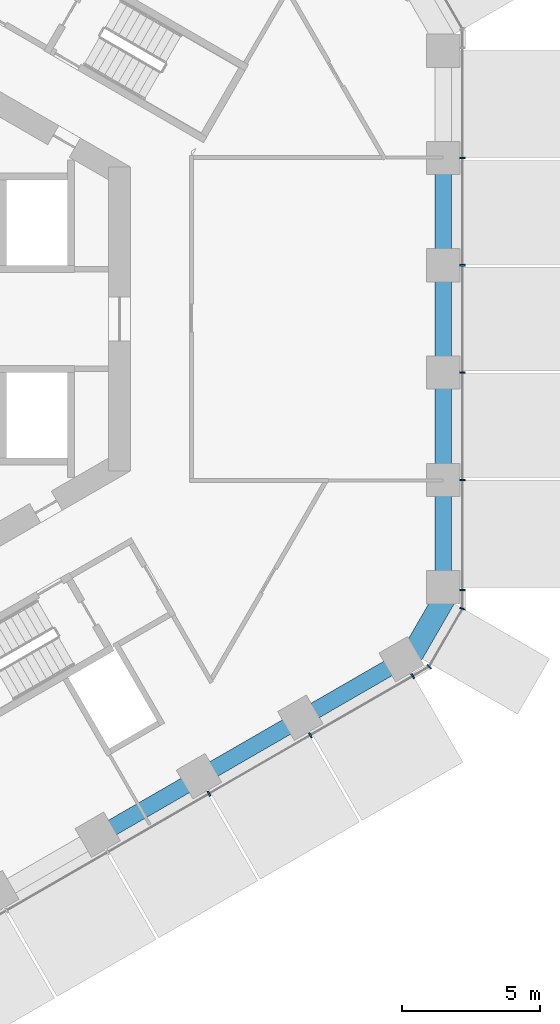
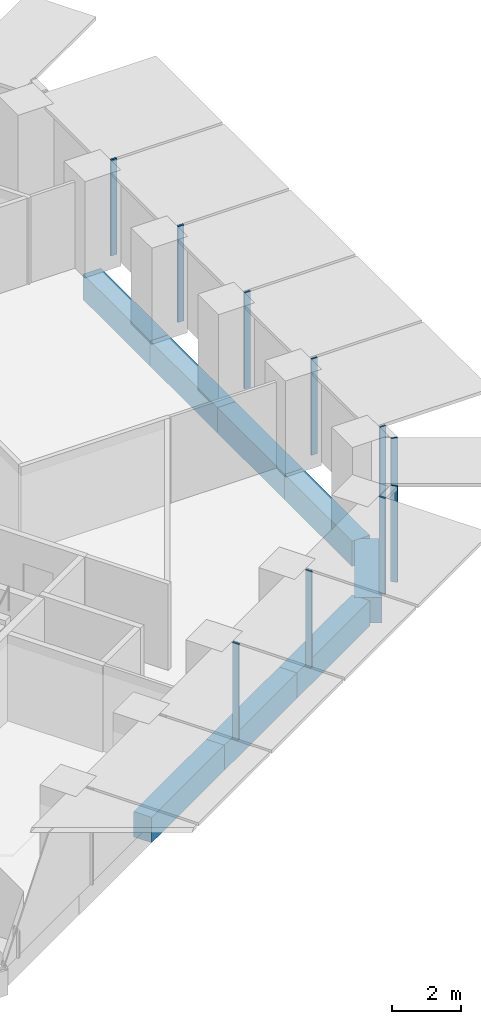
# One storey, part 4 of 19: 10 members, 8 beams, 3 elements without a shape of their own.
"""IFC4 building model written with IfcOpenShell, lengths in metres."""

import ifcopenshell
import ifcopenshell.guid

model = None  # the IFC model being written
_history = None  # IfcOwnerHistory: only IFC2X3 demands one
_inside = {}  # id of a spatial element -> (the spatial element, [elements in it])
_under = {}  # id of a project, library or spatial element -> (it, [spatial elements below it])
_declared = {}  # id of a project -> (the project, [libraries it declares])
_typed = {}  # id of a type object -> (the type object, [elements of that type])
_made_of = {}  # id of a material, layer set ... -> (it, [elements and type objects made of it])


def new_model(schema):
    """Start an empty IFC model of exactly this schema.

    Asked for "IFC4X3", IfcOpenShell would pick the latest addendum, in which some entities
    have other attributes; the version numbers below select the first issue.
    IFC2X3 requires an IfcOwnerHistory on every rooted entity: one is made here for all.
    """
    global model, _history
    if schema == "IFC4X3":
        model = ifcopenshell.file(schema_version=(4, 3, 0, 0))
    else:
        model = ifcopenshell.file(schema=schema)
    _inside.clear()
    _under.clear()
    _declared.clear()
    _typed.clear()
    _made_of.clear()
    _history = None
    if model.schema == "IFC2X3":
        org = make("IfcOrganization", Name="unknown")
        user = make(
            "IfcPersonAndOrganization",
            ThePerson=make("IfcPerson", FamilyName="unknown"),
            TheOrganization=org,
        )
        app = make(
            "IfcApplication",
            ApplicationDeveloper=org,
            Version="unknown",
            ApplicationFullName="unknown",
            ApplicationIdentifier="unknown",
        )
        _history = make(
            "IfcOwnerHistory",
            OwningUser=user,
            OwningApplication=app,
            ChangeAction="ADDED",
            CreationDate=0,
        )
    return model


def make(cls, **values):
    """One entity of the class cls with the attributes given. An attribute that is None is left unset."""
    return model.create_entity(
        cls, **{name: value for name, value in values.items() if value is not None}
    )


def rooted(cls, **values):
    """An entity with a GlobalId (a new one), such as an element, a storey or a relation."""
    return make(cls, GlobalId=ifcopenshell.guid.new(), OwnerHistory=_history, **values)


def si_unit(unit_type, name, prefix=None):
    """IfcSIUnit, for example si_unit("LENGTHUNIT", "METRE", prefix="MILLI")."""
    return make("IfcSIUnit", UnitType=unit_type, Prefix=prefix, Name=name)


def assignment(units):
    """IfcUnitAssignment: the units of a project."""
    return None if units is None else make("IfcUnitAssignment", Units=units)


def point(xyz):
    """IfcCartesianPoint."""
    return None if xyz is None else make("IfcCartesianPoint", Coordinates=xyz)


def direction(xyz):
    """IfcDirection."""
    return None if xyz is None else make("IfcDirection", DirectionRatios=xyz)


def frame(location, z_axis=None, x_axis=None):
    """IfcAxis2Placement3D, a coordinate frame: its origin and axes. An axis left out is left unset."""
    return make(
        "IfcAxis2Placement3D",
        Location=point(location),
        Axis=direction(z_axis),
        RefDirection=direction(x_axis),
    )


def frame_2d(location, x_axis=None):
    """IfcAxis2Placement2D, a coordinate frame in the plane: its origin and x axis."""
    return make(
        "IfcAxis2Placement2D", Location=point(location), RefDirection=direction(x_axis)
    )


def origin():
    """The frame at (0, 0, 0) with its axes left unset."""
    return frame((0.0, 0.0, 0.0))


def origin_2d():
    """The frame at (0, 0) in the plane with its x axis left unset."""
    return frame_2d((0.0, 0.0))


def place(relative_to, where):
    """IfcLocalPlacement: puts the frame where relative to a parent placement (None: the world)."""
    return make(
        "IfcLocalPlacement", PlacementRelTo=relative_to, RelativePlacement=where
    )


def context(
    kind, dimensions, precision=None, world=None, true_north=None, identifier=None
):
    """IfcGeometricRepresentationContext, for example the 3D "Model" context."""
    return make(
        "IfcGeometricRepresentationContext",
        ContextIdentifier=identifier,
        ContextType=kind,
        CoordinateSpaceDimension=dimensions,
        Precision=precision,
        WorldCoordinateSystem=world,
        TrueNorth=true_north,
    )


def subcontext(parent, identifier, kind, view, scale=None):
    """IfcGeometricRepresentationSubContext, for example "Body" below "Model"."""
    return make(
        "IfcGeometricRepresentationSubContext",
        ContextIdentifier=identifier,
        ContextType=kind,
        ParentContext=parent,
        TargetScale=scale,
        TargetView=view,
    )


def project(units=None, contexts=None):
    """IfcProject with its units and contexts."""
    return rooted(
        "IfcProject",
        Name="project",
        RepresentationContexts=contexts,
        UnitsInContext=assignment(units),
    )


def spatial(cls, under=None, at=None, **own):
    """A site, building, storey or space (cls), placed at a placement, below another one or the project."""
    s = rooted(cls, ObjectPlacement=at, **own)
    if under is not None:
        _under.setdefault(under.id(), (under, []))[1].append(s)
    return s


def profile(cls, at=None, kind="AREA", **sizes):
    """A parametric profile (cls). Its sizes go by their IFC names, for example OverallWidth=200.0."""
    return make(cls, ProfileType=kind, Position=at, **sizes)


def rectangle(**sizes):
    """IfcRectangleProfileDef."""
    return profile("IfcRectangleProfileDef", **sizes)


def extrude(swept, where, along, depth):
    """IfcExtrudedAreaSolid: the profile swept, set in the frame where, extruded along a direction by depth."""
    return make(
        "IfcExtrudedAreaSolid",
        SweptArea=swept,
        Position=where,
        ExtrudedDirection=direction(along),
        Depth=depth,
    )


def shape(context_of_items, identifier, shape_type, items):
    """IfcShapeRepresentation: the items that make up one representation, for example the "Body"."""
    return make(
        "IfcShapeRepresentation",
        ContextOfItems=context_of_items,
        RepresentationIdentifier=identifier,
        RepresentationType=shape_type,
        Items=items,
    )


def material(Name=None, Category=None):
    """IfcMaterial."""
    return make("IfcMaterial", Name=Name, Category=Category)


def layer(
    of_material, thickness, ventilated=None, Name=None, Category=None, Priority=None
):
    """IfcMaterialLayer: one layer of a wall or slab, of a material (None: an air gap)."""
    return make(
        "IfcMaterialLayer",
        Material=of_material,
        LayerThickness=thickness,
        IsVentilated=ventilated,
        Name=Name,
        Category=Category,
        Priority=Priority,
    )


def layer_set(layers, Name=None):
    """IfcMaterialLayerSet."""
    return make("IfcMaterialLayerSet", MaterialLayers=layers, LayerSetName=Name)


def material_profile(
    of_material, cross_section, Name=None, Category=None, Priority=None
):
    """IfcMaterialProfile: a cross section and its material."""
    return make(
        "IfcMaterialProfile",
        Name=Name,
        Material=of_material,
        Profile=cross_section,
        Priority=Priority,
        Category=Category,
    )


def profile_set(profiles, Name=None, composite=None):
    """IfcMaterialProfileSet."""
    return make(
        "IfcMaterialProfileSet",
        Name=Name,
        MaterialProfiles=profiles,
        CompositeProfile=composite,
    )


def made_of(thing, what):
    """Note that an element or type object is made of a material, layer set ...; save() writes the relation."""
    if what is not None:
        _made_of.setdefault(what.id(), (what, []))[1].append(thing)
    return thing


def type_object(cls, material=None, **own):
    """A type object (cls), such as IfcWallType, which elements share."""
    return made_of(rooted(cls, **own), material)


def element(
    cls,
    number,
    at=None,
    inside=None,
    cuts=None,
    type_object=None,
    material=None,
    context=None,
    identifier="Body",
    shape_type=None,
    held_by="IfcProductDefinitionShape",
    body=None,
    shapes=None,
    **own,
):
    """One element of the class cls, such as IfcWall. Its Tag is "e" and its number.

    at: its placement. inside: the storey or other place that contains it. cuts: it is an
    opening in that element (IfcRelVoidsElement). A single representation is given by context,
    identifier, shape_type and body (its items); several are given by shapes. held_by: the class
    of the entity that holds the representations. save() writes the other relations.
    """
    e = rooted(cls, Tag="e%d" % number, ObjectPlacement=at, **own)
    if body is not None:
        shapes = [shape(context, identifier, shape_type, body)]
    if shapes is not None:
        e.Representation = make(held_by, Representations=shapes)
    if inside is not None:
        _inside.setdefault(inside.id(), (inside, []))[1].append(e)
    if cuts is not None:
        rooted(
            "IfcRelVoidsElement", RelatingBuildingElement=cuts, RelatedOpeningElement=e
        )
    if type_object is not None:
        _typed.setdefault(type_object.id(), (type_object, []))[1].append(e)
    return made_of(e, material)


def aggregate(whole, parts):
    """IfcRelAggregates: a whole, such as a stair, and the parts it consists of."""
    return rooted("IfcRelAggregates", RelatingObject=whole, RelatedObjects=parts)


def save(model, path):
    """Write the relations noted so far, then the file.

    IfcRelAggregates (storeys below a building ...), IfcRelContainedInSpatialStructure (elements
    in a storey), IfcRelDefinesByType, IfcRelAssociatesMaterial and IfcRelDeclares: one each for
    every whole, place, type object, material and project.
    """
    for whole, parts in _under.values():
        aggregate(whole, parts)
    for where, things in _inside.values():
        rooted(
            "IfcRelContainedInSpatialStructure",
            RelatedElements=things,
            RelatingStructure=where,
        )
    for kind, things in _typed.values():
        rooted("IfcRelDefinesByType", RelatedObjects=things, RelatingType=kind)
    for what, things in _made_of.values():
        rooted("IfcRelAssociatesMaterial", RelatedObjects=things, RelatingMaterial=what)
    for by, libraries in _declared.values():
        rooted("IfcRelDeclares", RelatingContext=by, RelatedDefinitions=libraries)
    model.write(path)


model = new_model("IFC4")

# Units and contexts
model_context = context("Model", 3, precision=1e-05, world=origin(), true_north=direction((0.0, 1.0)))
body_context = subcontext(model_context, "Body", "Model", "MODEL_VIEW")
ifc_project = project(units=[si_unit("LENGTHUNIT", "METRE"), si_unit("AREAUNIT", "SQUARE_METRE"), si_unit("VOLUMEUNIT", "CUBIC_METRE"), si_unit("PLANEANGLEUNIT", "RADIAN"), si_unit("MASSUNIT", "GRAM", prefix="KILO")], contexts=[model_context])

# Site, building, storey
site_placement = place(None, origin())
site = spatial("IfcSite", under=ifc_project, at=site_placement, CompositionType="ELEMENT")
building_placement = place(site_placement, origin())
building = spatial("IfcBuilding", under=site, at=building_placement, Name="Ayvan Gate Tower", CompositionType="ELEMENT")
storey_placement = place(building_placement, frame((0.0, 0.0, 52.699951171875)))
storey = spatial("IfcBuildingStorey", under=building, at=storey_placement, Name="L13", CompositionType="ELEMENT", Elevation=52.699951171875)

# Beams
ifc_material_1 = material(Name="Concrete C40/50", Category="concrete")
ifc_material_profile_1 = material_profile(ifc_material_1, rectangle(XDim=0.800048828125, YDim=0.89990234375, at=origin_2d()), Name="RC 800x900")
ifc_profile_set_1 = profile_set([ifc_material_profile_1], Name="Concrete C40/50")
beam_type_1 = type_object("IfcBeamType", Name="Corner spandrel beam RC 800x900 C40/50", PredefinedType="BEAM", material=ifc_profile_set_1)
beam_1_placement = place(storey_placement, frame((19.47509765625, -12.44384765625, -0.800048828125), z_axis=(0.50002537861, 0.866010750942, 0.0), x_axis=(-0.866010750942, 0.50002537861, 0.0)))
element("IfcBeam", 1, at=beam_1_placement, inside=storey, type_object=beam_type_1, Name="SB-L13-36", PredefinedType="BEAM", context=body_context, shape_type="SweptSolid", body=[
    extrude(rectangle(XDim=0.800048828125, YDim=0.89990234375, at=origin_2d()), origin(), (0.0, 0.0, 1.0), 2.999755859375),
])
ifc_material_profile_2 = material_profile(ifc_material_1, rectangle(XDim=0.60009765625, YDim=0.89990234375, at=origin_2d()), Name="RC 600x900")
ifc_profile_set_2 = profile_set([ifc_material_profile_2], Name="Concrete C40/50")
beam_type_2 = type_object("IfcBeamType", Name="Spandrel beam RC 600x900 C40/50", PredefinedType="BEAM", material=ifc_profile_set_2)
for number, where, z_axis, x_axis, name in (
    (2, (20.78466796875, -9.73583984375, -0.800048828125), (0.0, 1.0, 0.0), (-1.0, 0.0, 0.0), "SB-L13-1"),
    (3, (20.78466796875, -5.841552734375, -0.800048828125), (0.0, 1.0, 0.0), (-1.0, 0.0, 0.0), "SB-L13-2"),
):
    element("IfcBeam", number, at=place(storey_placement, frame(where, z_axis=z_axis, x_axis=x_axis)), inside=storey, type_object=beam_type_2, Name=name, PredefinedType="BEAM", context=body_context, shape_type="SweptSolid", body=[
        extrude(rectangle(XDim=0.60009765625, YDim=0.89990234375, at=origin_2d()), origin(), (0.0, 0.0, 1.0), 3.894287109375),
    ])
beam_2_placement = place(storey_placement, frame((20.78466796875, -1.947265625, -0.800048828125), z_axis=(0.0, 1.0, 0.0), x_axis=(-1.0, 0.0, 0.0)))
element("IfcBeam", 4, at=beam_2_placement, inside=storey, type_object=beam_type_2, Name="SB-L13-3", PredefinedType="BEAM", context=body_context, shape_type="SweptSolid", body=[
    extrude(rectangle(XDim=0.60009765625, YDim=0.89990234375, at=origin_2d()), origin(), (0.0, 0.0, 1.0), 3.89453125),
])
beam_3_placement = place(storey_placement, frame((20.78466796875, 1.947265625, -0.800048828125), z_axis=(0.0, 1.0, 0.0), x_axis=(-1.0, 0.0, 0.0)))
element("IfcBeam", 5, at=beam_3_placement, inside=storey, type_object=beam_type_2, Name="SB-L13-4", PredefinedType="BEAM", context=body_context, shape_type="SweptSolid", body=[
    extrude(rectangle(XDim=0.60009765625, YDim=0.89990234375, at=origin_2d()), origin(), (0.0, 0.0, 1.0), 3.894287109375),
])
beam_4_placement = place(storey_placement, frame((8.33740234375, -18.654296875, -0.800048828125), z_axis=(0.866027338831, 0.499996648386, 0.0), x_axis=(-0.499996648386, 0.866027338831, 0.0)))
element("IfcBeam", 6, at=beam_4_placement, inside=storey, type_object=beam_type_2, Name="SB-L13-33", PredefinedType="BEAM", context=body_context, shape_type="SweptSolid", body=[
    extrude(rectangle(XDim=0.60009765625, YDim=0.89990234375, at=origin_2d()), origin(), (0.0, 0.0, 1.0), 4.21337890625),
])
for number, where, z_axis, x_axis, name in (
    (7, (11.986328125, -16.547607421875, -0.800048828125), (0.866016734951, 0.50001501456, 0.0), (-0.50001501456, 0.866016734951, 0.0), "SB-L13-34"),
    (8, (15.635498046875, -14.440673828125, -0.800048828125), (0.866041823485, 0.499971559166, 0.0), (-0.499971559166, 0.866041823485, 0.0), "SB-L13-35"),
):
    element("IfcBeam", number, at=place(storey_placement, frame(where, z_axis=z_axis, x_axis=x_axis)), inside=storey, type_object=beam_type_2, Name=name, PredefinedType="BEAM", context=body_context, shape_type="SweptSolid", body=[
        extrude(rectangle(XDim=0.60009765625, YDim=0.89990234375, at=origin_2d()), origin(), (0.0, 0.0, 1.0), 4.213623046875),
    ])

# Curtain wall, members
ifc_material_2 = material(Name="Bronze anodised aluminium", Category="aluminium")
ifc_layer_1 = layer(ifc_material_2, 0.199951171875)
ifc_layer_set_1 = layer_set([ifc_layer_1], Name="Bronze anodised aluminium")
curtain_wall_type_1 = type_object("IfcCurtainWallType", Name="Stick curtain wall CW-1", PredefinedType="NOTDEFINED", material=ifc_layer_set_1)
curtain_wall_1_placement = place(storey_placement, origin())
curtain_wall_1 = element("IfcCurtainWall", 9, at=curtain_wall_1_placement, inside=storey, type_object=curtain_wall_type_1, Name="Stick curtain wall CW-1 L13", PredefinedType="NOTDEFINED")
ifc_material_profile_3 = material_profile(ifc_material_2, rectangle(XDim=0.199951171875, YDim=0.06005859375, at=origin_2d()), Name="Stick curtain wall CW-1 mullion 200 x 60")
ifc_profile_set_3 = profile_set([ifc_material_profile_3], Name="Bronze anodised aluminium")
member_type_1 = type_object("IfcMemberType", Name="Stick curtain wall CW-1 mullion 200 x 60", PredefinedType="MULLION", material=ifc_profile_set_3)
member_1_placement = place(storey_placement, frame((12.333740234375, -17.13916015625, 0.0), z_axis=(0.0, 0.0, 1.0), x_axis=(0.5, -0.866025403784, 0.0)))
member_1 = element("IfcMember", 10, at=member_1_placement, type_object=member_type_1, Name="CW-1 mullion 4", PredefinedType="MULLION", context=body_context, shape_type="SweptSolid", body=[
    extrude(rectangle(XDim=0.199951171875, YDim=0.06005859375, at=origin_2d()), origin(), (0.0, 0.0, 1.0), 3.400146484375),
])
member_2_placement = place(storey_placement, frame((15.991943359375, -15.027099609375, 0.0), z_axis=(0.0, 0.0, 1.0), x_axis=(0.5, -0.866025403784, 0.0)))
member_2 = element("IfcMember", 11, at=member_2_placement, type_object=member_type_1, Name="CW-1 mullion 5", PredefinedType="MULLION", context=body_context, shape_type="SweptSolid", body=[
    extrude(rectangle(XDim=0.199951171875, YDim=0.06005859375, at=origin_2d()), origin(), (0.0, 0.0, 1.0), 3.400146484375),
])
member_3_placement = place(storey_placement, frame((19.6884765625, -12.892822265625, 0.0), z_axis=(0.0, 0.0, 1.0), x_axis=(0.5, -0.866025403784, 0.0)))
member_3 = element("IfcMember", 12, at=member_3_placement, type_object=member_type_1, Name="CW-1 mullion 6", PredefinedType="MULLION", context=body_context, shape_type="SweptSolid", body=[
    extrude(rectangle(XDim=0.199951171875, YDim=0.06005859375, at=origin_2d()), origin(), (0.0, 0.0, 1.0), 3.400146484375),
])
aggregate(curtain_wall_1, [member_1, member_2, member_3])

curtain_wall_2_placement = place(storey_placement, origin())
curtain_wall_2 = element("IfcCurtainWall", 13, at=curtain_wall_2_placement, inside=storey, type_object=curtain_wall_type_1, Name="Stick curtain wall CW-1 L13", PredefinedType="NOTDEFINED")
member_4_placement = place(storey_placement, frame((21.484619140625, -9.781982421875, 0.0), z_axis=(0.0, 0.0, 1.0), x_axis=(1.0, 0.0, 0.0)))
member_4 = element("IfcMember", 14, at=member_4_placement, type_object=member_type_1, Name="CW-1 mullion 1", PredefinedType="MULLION", context=body_context, shape_type="SweptSolid", body=[
    extrude(rectangle(XDim=0.199951171875, YDim=0.06005859375, at=origin_2d()), origin(), (0.0, 0.0, 1.0), 3.400146484375),
])
member_5_placement = place(storey_placement, frame((21.484619140625, -5.810791015625, 0.0), z_axis=(0.0, 0.0, 1.0), x_axis=(1.0, 0.0, 0.0)))
member_5 = element("IfcMember", 15, at=member_5_placement, type_object=member_type_1, Name="CW-1 mullion 2", PredefinedType="MULLION", context=body_context, shape_type="SweptSolid", body=[
    extrude(rectangle(XDim=0.199951171875, YDim=0.06005859375, at=origin_2d()), origin(), (0.0, 0.0, 1.0), 3.400146484375),
])
member_6_placement = place(storey_placement, frame((21.484619140625, -1.936767578125, 0.0), z_axis=(0.0, 0.0, 1.0), x_axis=(1.0, 0.0, 0.0)))
member_6 = element("IfcMember", 16, at=member_6_placement, type_object=member_type_1, Name="CW-1 mullion 3", PredefinedType="MULLION", context=body_context, shape_type="SweptSolid", body=[
    extrude(rectangle(XDim=0.199951171875, YDim=0.06005859375, at=origin_2d()), origin(), (0.0, 0.0, 1.0), 3.400146484375),
])
member_7_placement = place(storey_placement, frame((21.484619140625, 1.93701171875, 0.0), z_axis=(0.0, 0.0, 1.0), x_axis=(1.0, 0.0, 0.0)))
member_7 = element("IfcMember", 17, at=member_7_placement, type_object=member_type_1, Name="CW-1 mullion 4", PredefinedType="MULLION", context=body_context, shape_type="SweptSolid", body=[
    extrude(rectangle(XDim=0.199951171875, YDim=0.06005859375, at=origin_2d()), origin(), (0.0, 0.0, 1.0), 3.400146484375),
])
member_8_placement = place(storey_placement, frame((21.484619140625, 5.81103515625, 0.0), z_axis=(0.0, 0.0, 1.0), x_axis=(1.0, 0.0, 0.0)))
member_8 = element("IfcMember", 18, at=member_8_placement, type_object=member_type_1, Name="CW-1 mullion 5", PredefinedType="MULLION", context=body_context, shape_type="SweptSolid", body=[
    extrude(rectangle(XDim=0.199951171875, YDim=0.06005859375, at=origin_2d()), origin(), (0.0, 0.0, 1.0), 3.400146484375),
])
aggregate(curtain_wall_2, [member_4, member_5, member_6, member_7, member_8])

ifc_layer_2 = layer(ifc_material_2, 0.199951171875)
ifc_layer_set_2 = layer_set([ifc_layer_2], Name="Bronze anodised aluminium")
curtain_wall_type_2 = type_object("IfcCurtainWallType", Name="Stick curtain wall CW-6", PredefinedType="NOTDEFINED", material=ifc_layer_set_2)
curtain_wall_3_placement = place(storey_placement, origin())
curtain_wall_3 = element("IfcCurtainWall", 19, at=curtain_wall_3_placement, inside=storey, type_object=curtain_wall_type_2, Name="Stick curtain wall CW-6 L13", PredefinedType="NOTDEFINED")
ifc_material_profile_4 = material_profile(ifc_material_2, rectangle(XDim=0.199951171875, YDim=0.050048828125, at=origin_2d()), Name="Stick curtain wall CW-6 mullion 200 x 50")
ifc_profile_set_4 = profile_set([ifc_material_profile_4], Name="Bronze anodised aluminium")
member_type_2 = type_object("IfcMemberType", Name="Stick curtain wall CW-6 mullion 200 x 50", PredefinedType="MULLION", material=ifc_profile_set_4)
member_9_placement = place(storey_placement, frame((20.27734375, -12.552978515625, 0.0), z_axis=(0.0, 0.0, 1.0), x_axis=(0.707106781187, -0.707106781187, 0.0)))
member_9 = element("IfcMember", 20, at=member_9_placement, type_object=member_type_2, Name="CW-6 mullion 2", PredefinedType="MULLION", context=body_context, shape_type="SweptSolid", body=[
    extrude(rectangle(XDim=0.199951171875, YDim=0.050048828125, at=origin_2d()), origin(), (0.0, 0.0, 1.0), 3.400146484375),
])
member_10_placement = place(storey_placement, frame((21.484619140625, -10.4619140625, 0.0), z_axis=(0.0, 0.0, 1.0), x_axis=(0.965925826289, -0.258819045103, 0.0)))
member_10 = element("IfcMember", 21, at=member_10_placement, type_object=member_type_2, Name="CW-6 mullion 3", PredefinedType="MULLION", context=body_context, shape_type="SweptSolid", body=[
    extrude(rectangle(XDim=0.199951171875, YDim=0.050048828125, at=origin_2d()), origin(), (0.0, 0.0, 1.0), 3.400146484375),
])
aggregate(curtain_wall_3, [member_9, member_10])

save(model, "model.ifc")
